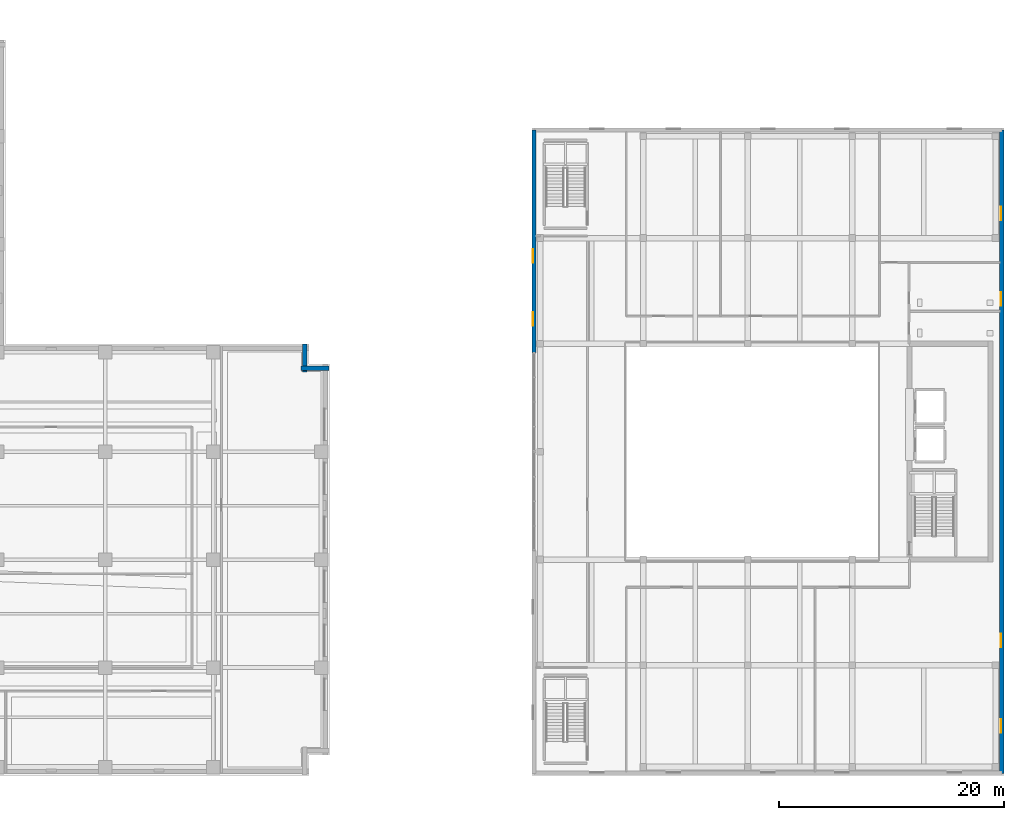
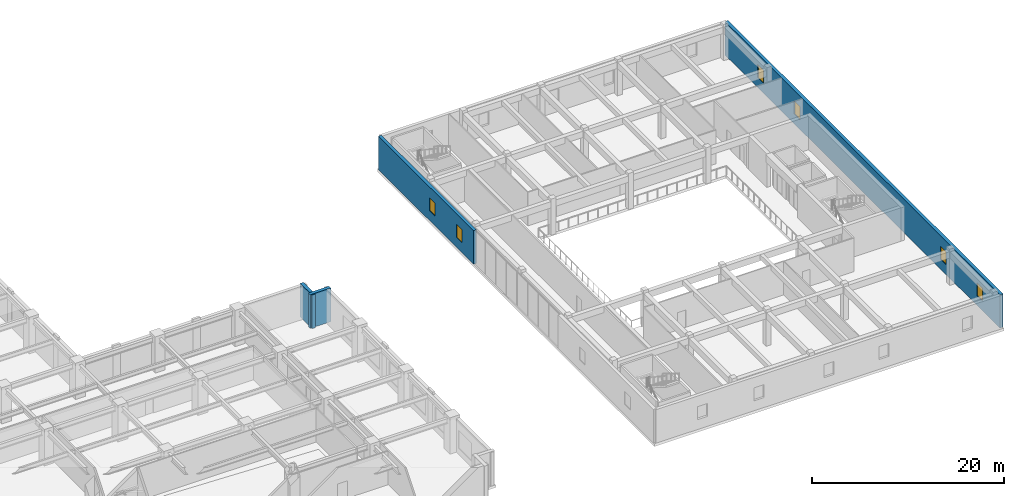
# One storey, part 10 of 24: 6 windows, 4 walls, 6 openings.
"""IFC4 building model written with IfcOpenShell, lengths in metres."""

from ifc_helpers import new_model, si_unit, direction, frame, frame_2d, origin, place, context, subcontext, project, spatial, rectangle, extrude, material, layer, layer_set, type_object, element, fill, save


model = new_model("IFC4")

# Units and contexts
model_context = context("Model", 3, precision=1e-05, world=origin(), true_north=direction((0.0, 1.0)))
body_context = subcontext(model_context, "Body", "Model", "MODEL_VIEW")
ifc_project = project(units=[si_unit("LENGTHUNIT", "METRE"), si_unit("AREAUNIT", "SQUARE_METRE"), si_unit("VOLUMEUNIT", "CUBIC_METRE"), si_unit("PLANEANGLEUNIT", "RADIAN"), si_unit("MASSUNIT", "GRAM", prefix="KILO")], contexts=[model_context])

# Site, building, storey
site_placement = place(None, origin())
site = spatial("IfcSite", under=ifc_project, at=site_placement, CompositionType="ELEMENT")
building_placement = place(site_placement, origin())
building = spatial("IfcBuilding", under=site, at=building_placement, Name="Norrvale University Quadrangle", CompositionType="ELEMENT")
storey_placement = place(building_placement, frame((0.0, 0.0, 15.0)))
storey = spatial("IfcBuildingStorey", under=building, at=storey_placement, Name="L03", CompositionType="ELEMENT", Elevation=15.0)

# Wall, openings, windows
ifc_material_1 = material(Name="Buff Norman Clay Brick Masonry", Category="masonry")
ifc_layer_1 = layer(ifc_material_1, 0.3798828125, Name="Buff Norman Clay Brick Masonry")
ifc_layer_set_1 = layer_set([ifc_layer_1], Name="Buff Norman Clay Brick Masonry")
wall_type_1 = type_object("IfcWallType", Name="Wall Lib Brick 380", PredefinedType="SOLIDWALL", material=ifc_layer_set_1)
wall_1_placement = place(storey_placement, frame((127.010009765625, 0.18994140625, 0.0), z_axis=(0.0, 0.0, 1.0), x_axis=(0.0, 1.0, 0.0)))
wall_1 = element("IfcWall", 1, at=wall_1_placement, inside=storey, type_object=wall_type_1, Name="Central Library East Brick Facade L03", PredefinedType="SOLIDWALL", context=body_context, shape_type="SweptSolid", body=[
    extrude(rectangle(XDim=57.219970703125, YDim=0.3798828125, at=frame_2d((28.60986328125, 0.0))), origin(), (0.0, 0.0, 1.0), 4.25),
])
opening_1_placement = place(wall_1_placement, frame((3.60009765625, 0.0, 1.25)))
opening_1 = element("IfcOpeningElement", 2, at=opening_1_placement, cuts=wall_1, Name="Opening W07", PredefinedType="OPENING", context=body_context, shape_type="SweptSolid", body=[
    extrude(rectangle(XDim=1.199951171875, YDim=1.64990234375, at=frame_2d((0.60009765625, 0.824951171875))), frame((0.0, 0.201904296875, 0.0), z_axis=(0.0, -1.0, 0.0), x_axis=(1.0, 0.0, 0.0)), (0.0, 0.0, 1.0), 0.40380859375),
])
opening_2_placement = place(wall_1_placement, frame((11.199951171875, 0.0, 1.25)))
opening_2 = element("IfcOpeningElement", 3, at=opening_2_placement, cuts=wall_1, Name="Opening W07", PredefinedType="OPENING", context=body_context, shape_type="SweptSolid", body=[
    extrude(rectangle(XDim=1.199951171875, YDim=1.64990234375, at=frame_2d((0.60009765625, 0.824951171875))), frame((0.0, 0.201904296875, 0.0), z_axis=(0.0, -1.0, 0.0), x_axis=(1.0, 0.0, 0.0)), (0.0, 0.0, 1.0), 0.40380859375),
])
opening_3_placement = place(wall_1_placement, frame((41.60009765625, 0.0, 1.25)))
opening_3 = element("IfcOpeningElement", 4, at=opening_3_placement, cuts=wall_1, Name="Opening W07", PredefinedType="OPENING", context=body_context, shape_type="SweptSolid", body=[
    extrude(rectangle(XDim=1.199951171875, YDim=1.64990234375, at=frame_2d((0.60009765625, 0.824951171875))), frame((0.0, 0.201904296875, 0.0), z_axis=(0.0, -1.0, 0.0), x_axis=(1.0, 0.0, 0.0)), (0.0, 0.0, 1.0), 0.40380859375),
])
opening_4_placement = place(wall_1_placement, frame((49.199951171875, 0.0, 1.25)))
opening_4 = element("IfcOpeningElement", 5, at=opening_4_placement, cuts=wall_1, Name="Opening W07", PredefinedType="OPENING", context=body_context, shape_type="SweptSolid", body=[
    extrude(rectangle(XDim=1.199951171875, YDim=1.64990234375, at=frame_2d((0.60009765625, 0.824951171875))), frame((0.0, 0.201904296875, 0.0), z_axis=(0.0, -1.0, 0.0), x_axis=(1.0, 0.0, 0.0)), (0.0, 0.0, 1.0), 0.40380859375),
])
ifc_material_2 = material(Name="UV-Filtered Triple Glazing", Category="glass")
window_type = type_object("IfcWindowType", Name="Window Library Stack 1200x1800", PartitioningType="SINGLE_PANEL", PredefinedType="WINDOW", material=ifc_material_2)
window_1_placement = place(opening_1_placement, origin())
window_1 = element("IfcWindow", 6, at=window_1_placement, inside=storey, type_object=window_type, Name="Window Library Stack 1200x1800 WIN-L03-LE-01", OverallHeight=1.64990234375, OverallWidth=1.199951171875, PartitioningType="SINGLE_PANEL", PredefinedType="WINDOW", context=body_context, shape_type="SweptSolid", body=[
    extrude(rectangle(XDim=1.199951171875, YDim=1.64990234375, at=frame_2d((0.60009765625, 0.824951171875))), frame((0.0, 0.110107421875, 0.0), z_axis=(0.0, -1.0, 0.0), x_axis=(1.0, 0.0, 0.0)), (0.0, 0.0, 1.0), 0.06005859375),
])
fill(opening_1, window_1)
window_2_placement = place(opening_2_placement, origin())
window_2 = element("IfcWindow", 7, at=window_2_placement, inside=storey, type_object=window_type, Name="Window Library Stack 1200x1800 WIN-L03-LE-02", OverallHeight=1.64990234375, OverallWidth=1.199951171875, PartitioningType="SINGLE_PANEL", PredefinedType="WINDOW", context=body_context, shape_type="SweptSolid", body=[
    extrude(rectangle(XDim=1.199951171875, YDim=1.64990234375, at=frame_2d((0.60009765625, 0.824951171875))), frame((0.0, 0.110107421875, 0.0), z_axis=(0.0, -1.0, 0.0), x_axis=(1.0, 0.0, 0.0)), (0.0, 0.0, 1.0), 0.06005859375),
])
fill(opening_2, window_2)
window_3_placement = place(opening_3_placement, origin())
window_3 = element("IfcWindow", 8, at=window_3_placement, inside=storey, type_object=window_type, Name="Window Library Stack 1200x1800 WIN-L03-LE-03", OverallHeight=1.64990234375, OverallWidth=1.199951171875, PartitioningType="SINGLE_PANEL", PredefinedType="WINDOW", context=body_context, shape_type="SweptSolid", body=[
    extrude(rectangle(XDim=1.199951171875, YDim=1.64990234375, at=frame_2d((0.60009765625, 0.824951171875))), frame((0.0, 0.110107421875, 0.0), z_axis=(0.0, -1.0, 0.0), x_axis=(1.0, 0.0, 0.0)), (0.0, 0.0, 1.0), 0.06005859375),
])
fill(opening_3, window_3)
window_4_placement = place(opening_4_placement, origin())
window_4 = element("IfcWindow", 9, at=window_4_placement, inside=storey, type_object=window_type, Name="Window Library Stack 1200x1800 WIN-L03-LE-04", OverallHeight=1.64990234375, OverallWidth=1.199951171875, PartitioningType="SINGLE_PANEL", PredefinedType="WINDOW", context=body_context, shape_type="SweptSolid", body=[
    extrude(rectangle(XDim=1.199951171875, YDim=1.64990234375, at=frame_2d((0.60009765625, 0.824951171875))), frame((0.0, 0.110107421875, 0.0), z_axis=(0.0, -1.0, 0.0), x_axis=(1.0, 0.0, 0.0)), (0.0, 0.0, 1.0), 0.06005859375),
])
fill(opening_4, window_4)

wall_2_placement = place(storey_placement, frame((85.389892578125, 37.60009765625, 0.0), z_axis=(0.0, 0.0, 1.0), x_axis=(0.0, 1.0, 0.0)))
wall_2 = element("IfcWall", 10, at=wall_2_placement, inside=storey, type_object=wall_type_1, Name="Library West Brick Wall North L03", PredefinedType="SOLIDWALL", context=body_context, shape_type="SweptSolid", body=[
    extrude(rectangle(XDim=19.809814453125, YDim=0.3798828125, at=frame_2d((9.90478515625, 0.0))), origin(), (0.0, 0.0, 1.0), 4.25),
])
opening_5_placement = place(wall_2_placement, frame((2.39990234375, 0.0, 1.25)))
opening_5 = element("IfcOpeningElement", 11, at=opening_5_placement, cuts=wall_2, Name="Opening W07", PredefinedType="OPENING", context=body_context, shape_type="SweptSolid", body=[
    extrude(rectangle(XDim=1.199951171875, YDim=1.64990234375, at=frame_2d((0.60009765625, 0.824951171875))), frame((0.0, 0.201904296875, 0.0), z_axis=(0.0, -1.0, 0.0), x_axis=(1.0, 0.0, 0.0)), (0.0, 0.0, 1.0), 0.40380859375),
])
opening_6_placement = place(wall_2_placement, frame((8.0, 0.0, 1.25)))
opening_6 = element("IfcOpeningElement", 12, at=opening_6_placement, cuts=wall_2, Name="Opening W07", PredefinedType="OPENING", context=body_context, shape_type="SweptSolid", body=[
    extrude(rectangle(XDim=1.199951171875, YDim=1.64990234375, at=frame_2d((0.60009765625, 0.824951171875))), frame((0.0, 0.201904296875, 0.0), z_axis=(0.0, -1.0, 0.0), x_axis=(1.0, 0.0, 0.0)), (0.0, 0.0, 1.0), 0.40380859375),
])
window_5_placement = place(opening_5_placement, origin())
window_5 = element("IfcWindow", 13, at=window_5_placement, inside=storey, type_object=window_type, Name="Window Library Stack 1200x1800 WIN-L03-LW2-1", OverallHeight=1.64990234375, OverallWidth=1.199951171875, PartitioningType="SINGLE_PANEL", PredefinedType="WINDOW", context=body_context, shape_type="SweptSolid", body=[
    extrude(rectangle(XDim=1.199951171875, YDim=1.64990234375, at=frame_2d((0.60009765625, 0.824951171875))), frame((0.0, 0.110107421875, 0.0), z_axis=(0.0, -1.0, 0.0), x_axis=(1.0, 0.0, 0.0)), (0.0, 0.0, 1.0), 0.06005859375),
])
fill(opening_5, window_5)
window_6_placement = place(opening_6_placement, origin())
window_6 = element("IfcWindow", 14, at=window_6_placement, inside=storey, type_object=window_type, Name="Window Library Stack 1200x1800 WIN-L03-LW2-2", OverallHeight=1.64990234375, OverallWidth=1.199951171875, PartitioningType="SINGLE_PANEL", PredefinedType="WINDOW", context=body_context, shape_type="SweptSolid", body=[
    extrude(rectangle(XDim=1.199951171875, YDim=1.64990234375, at=frame_2d((0.60009765625, 0.824951171875))), frame((0.0, 0.110107421875, 0.0), z_axis=(0.0, -1.0, 0.0), x_axis=(1.0, 0.0, 0.0)), (0.0, 0.0, 1.0), 0.06005859375),
])
fill(opening_6, window_6)

# Walls
ifc_material_3 = material(Name="Red Manganese Brick Masonry", Category="masonry")
ifc_layer_2 = layer(ifc_material_3, 0.39990234375, Name="Red Manganese Brick Masonry")
ifc_layer_set_2 = layer_set([ifc_layer_2], Name="Red Manganese Brick Masonry")
wall_type_2 = type_object("IfcWallType", Name="Wall Red Brick 400", PredefinedType="SOLIDWALL", material=ifc_layer_set_2)
wall_3_placement = place(storey_placement, frame((67.159912109375, 36.219970703125, 0.0), z_axis=(0.0, 0.0, 1.0), x_axis=(-1.0, 0.0, 0.0)))
element("IfcWall", 15, at=wall_3_placement, inside=storey, type_object=wall_type_2, Name="Exterior Brick Facade Wall L03-05.1", PredefinedType="SOLIDWALL", context=body_context, shape_type="SweptSolid", body=[
    extrude(rectangle(XDim=2.47998046875, YDim=0.39990234375, at=frame_2d((1.239990234375, 0.0))), origin(), (0.0, 0.0, 1.0), 4.260009765625),
])
wall_4_placement = place(storey_placement, frame((65.02001953125, 35.8798828125, 0.0), z_axis=(0.0, 0.0, 1.0), x_axis=(0.0, 1.0, 0.0)))
element("IfcWall", 16, at=wall_4_placement, inside=storey, type_object=wall_type_2, Name="Exterior Brick Facade Wall L03-06.1", PredefinedType="SOLIDWALL", context=body_context, shape_type="SweptSolid", body=[
    extrude(rectangle(XDim=2.480224609375, YDim=0.39990234375, at=frame_2d((1.240234375, 0.0))), origin(), (0.0, 0.0, 1.0), 4.260009765625),
])

save(model, "model.ifc")
